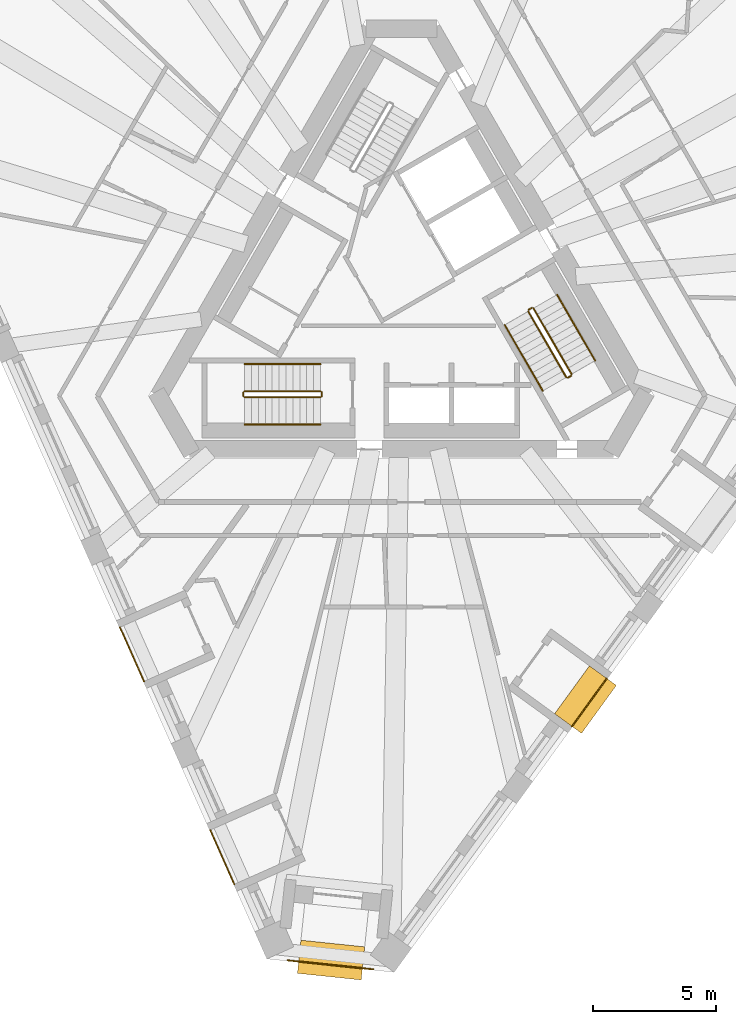
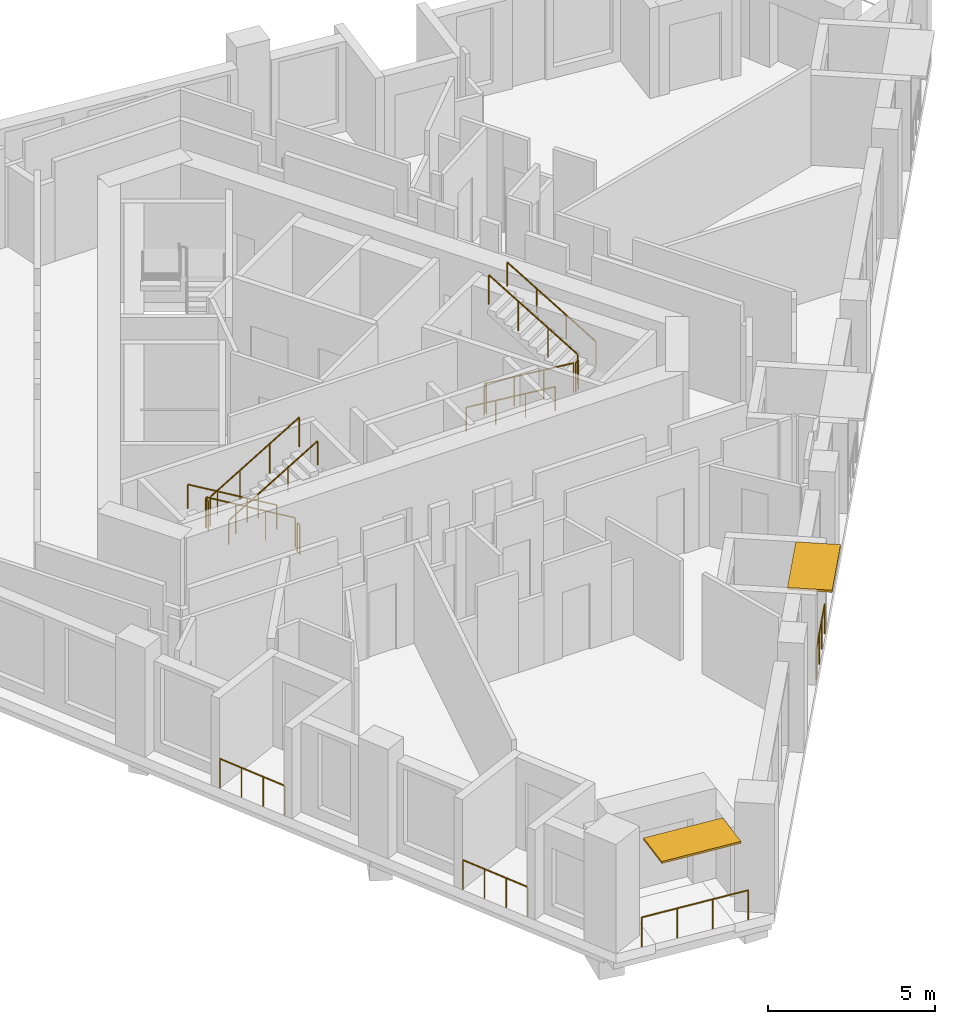
# One storey, part 9 of 11: 16 railings, 2 shading devices.
"""IFC4 building model written with IfcOpenShell, lengths in metres."""

from ifc_helpers import new_model, si_unit, direction, frame, origin, origin_2d, place, context, subcontext, project, spatial, rectangle, circle, extrude, material, layer, layer_set, type_object, element, save


model = new_model("IFC4")

# Units and contexts
model_context = context("Model", 3, precision=1e-05, world=origin(), true_north=direction((0.0, 1.0)))
body_context = subcontext(model_context, "Body", "Model", "MODEL_VIEW")
ifc_project = project(units=[si_unit("LENGTHUNIT", "METRE"), si_unit("AREAUNIT", "SQUARE_METRE"), si_unit("VOLUMEUNIT", "CUBIC_METRE"), si_unit("PLANEANGLEUNIT", "RADIAN"), si_unit("MASSUNIT", "GRAM", prefix="KILO")], contexts=[model_context])

# Site, building, storey
site_placement = place(None, origin())
site = spatial("IfcSite", under=ifc_project, at=site_placement, CompositionType="ELEMENT")
building_placement = place(site_placement, origin())
building = spatial("IfcBuilding", under=site, at=building_placement, Name="Tramontana Tower", CompositionType="ELEMENT")
storey_placement = place(building_placement, frame((0.0, 0.0, 249.199951171875)))
storey = spatial("IfcBuildingStorey", under=building, at=storey_placement, Name="L58", CompositionType="ELEMENT", Elevation=249.199951171875)

# Railings
ifc_material_1 = material(Name="Laminated glass balustrade", Category="glass")
railing_type_1 = type_object("IfcRailingType", Name="GD1 Loggia glass balustrade 1100", PredefinedType="BALUSTRADE", material=ifc_material_1)
for number, where, name in (
    (1, (-11.41455078125, -13.626220703125, 0.0), "Loggia balustrade L58 G6S0.10"),
    (2, (-7.751220703125, -21.854248046875, 0.0), "Loggia balustrade L58 G6S0.13"),
):
    element("IfcRailing", number, at=place(storey_placement, frame(where)), inside=storey, type_object=railing_type_1, Name=name, PredefinedType="BALUSTRADE", context=body_context, shape_type="SweptSolid", body=[
        extrude(circle(Radius=0.02392578125, at=origin_2d()), frame((0.0, 0.0, 1.076171875), z_axis=(0.406723017018, -0.913551524232, 0.0), x_axis=(0.913551524232, 0.406723017018, 0.0)), (0.0, 0.0, 1.0), 2.40234375),
        extrude(circle(Radius=0.02099609375, at=origin_2d()), origin(), (0.0, 0.0, 1.0), 1.052001953125),
        extrude(circle(Radius=0.02099609375, at=origin_2d()), frame((0.32568359375, -0.7314453125, 0.0)), (0.0, 0.0, 1.0), 1.052001953125),
        extrude(circle(Radius=0.02099609375, at=origin_2d()), frame((0.6513671875, -1.463134765625, 0.0)), (0.0, 0.0, 1.0), 1.052001953125),
        extrude(circle(Radius=0.02099609375, at=origin_2d()), frame((0.97705078125, -2.194580078125, 0.0)), (0.0, 0.0, 1.0), 1.052001953125),
    ])
railing_1_placement = place(storey_placement, frame((6.919921875, -17.645263671875, 0.0)))
element("IfcRailing", 3, at=railing_1_placement, inside=storey, type_object=railing_type_1, Name="Loggia balustrade L58 G6S1.4", PredefinedType="BALUSTRADE", context=body_context, shape_type="SweptSolid", body=[
    extrude(circle(Radius=0.02392578125, at=origin_2d()), frame((0.0, 0.0, 1.076171875), z_axis=(0.587784915375, 0.80901723916, 0.0), x_axis=(-0.80901723916, 0.587784915375, 0.0)), (0.0, 0.0, 1.0), 2.40234375),
    extrude(circle(Radius=0.02099609375, at=origin_2d()), origin(), (0.0, 0.0, 1.0), 1.052001953125),
    extrude(circle(Radius=0.02099609375, at=origin_2d()), frame((0.470703125, 0.64794921875, 0.0)), (0.0, 0.0, 1.0), 1.052001953125),
    extrude(circle(Radius=0.02099609375, at=origin_2d()), frame((0.94140625, 1.295654296875, 0.0)), (0.0, 0.0, 1.0), 1.052001953125),
    extrude(circle(Radius=0.02099609375, at=origin_2d()), frame((1.412109375, 1.943603515625, 0.0)), (0.0, 0.0, 1.0), 1.052001953125),
])
railing_2_placement = place(storey_placement, frame((-1.131103515625, -27.50244140625, 0.0)))
element("IfcRailing", 4, at=railing_2_placement, inside=storey, type_object=railing_type_1, Name="Corner loggia balustrade L58 K61", PredefinedType="BALUSTRADE", context=body_context, shape_type="SweptSolid", body=[
    extrude(circle(Radius=0.02392578125, at=origin_2d()), frame((0.0, 0.0, 1.076171875), z_axis=(-0.994518059202, 0.104564955513, 0.0), x_axis=(-0.104564955513, -0.994518059202, 0.0)), (0.0, 0.0, 1.0), 3.5),
    extrude(circle(Radius=0.02099609375, at=origin_2d()), origin(), (0.0, 0.0, 1.0), 1.052001953125),
    extrude(circle(Radius=0.02099609375, at=origin_2d()), frame((-1.16015625, 0.1220703125, 0.0)), (0.0, 0.0, 1.0), 1.052001953125),
    extrude(circle(Radius=0.02099609375, at=origin_2d()), frame((-2.320556640625, 0.243896484375, 0.0)), (0.0, 0.0, 1.0), 1.052001953125),
    extrude(circle(Radius=0.02099609375, at=origin_2d()), frame((-3.480712890625, 0.365966796875, 0.0)), (0.0, 0.0, 1.0), 1.052001953125),
])

# Shading devices
ifc_material_2 = material(Name="Precast concrete 60 MPa", Category="concrete")
ifc_layer_1 = layer(ifc_material_2, 0.070068359375)
ifc_layer_set_1 = layer_set([ifc_layer_1], Name="SS2 Stone sunshade blade 70")
shading_device_type_1 = type_object("IfcShadingDeviceType", Name="SS2 Stone sunshade blade 70", PredefinedType="USERDEFINED", material=ifc_layer_set_1)
shading_device_1_placement = place(storey_placement, frame((-2.85107421875, -27.12548828125, 3.22998046875), z_axis=(0.0, 0.0, 1.0), x_axis=(-0.994521895368, 0.104528463268, 0.0)))
element("IfcShadingDevice", 5, at=shading_device_1_placement, inside=storey, type_object=shading_device_type_1, Name="Corner sunshade L58 K61", ObjectType="SUNSHADE", PredefinedType="USERDEFINED", context=body_context, shape_type="SweptSolid", body=[
    extrude(rectangle(XDim=2.60009765625, YDim=1.35009765625, at=origin_2d()), origin(), (0.0, 0.0, 1.0), 0.070068359375),
])
ifc_material_3 = material(Name="Precast concrete 60 MPa", Category="concrete")
ifc_layer_2 = layer(ifc_material_3, 0.080078125)
ifc_layer_set_2 = layer_set([ifc_layer_2], Name="SS3 Stone sunshade blade 80")
shading_device_type_2 = type_object("IfcShadingDeviceType", Name="SS3 Stone sunshade blade 80", PredefinedType="USERDEFINED", material=ifc_layer_set_2)
shading_device_2_placement = place(storey_placement, frame((7.46826171875, -16.558837890625, 3.219970703125), z_axis=(0.0, 0.0, 1.0), x_axis=(0.587785252292, 0.809016994375, 0.0)))
element("IfcShadingDevice", 6, at=shading_device_2_placement, inside=storey, type_object=shading_device_type_2, Name="Sunshade L58 G6S1.4", ObjectType="SUNSHADE", PredefinedType="USERDEFINED", context=body_context, shape_type="SweptSolid", body=[
    extrude(rectangle(XDim=2.402099609375, YDim=1.35009765625, at=origin_2d()), origin(), (0.0, 0.0, 1.0), 0.080078125),
])

# Railings
ifc_material_4 = material(Name="Painted steel", Category="steel")
railing_type_2 = type_object("IfcRailingType", Name="STAIR GUARD 1100", PredefinedType="GUARDRAIL", material=ifc_material_4)
railing_3_placement = place(storey_placement, frame((-3.280029296875, -4.050048828125, 0.166748046875)))
element("IfcRailing", 7, at=railing_3_placement, inside=storey, type_object=railing_type_2, Name="L58 ST2 stair guard 1", PredefinedType="GUARDRAIL", context=body_context, shape_type="SweptSolid", body=[
    extrude(circle(Radius=0.02392578125, at=origin_2d()), frame((0.0, 0.0, 1.076171875), z_axis=(-0.859308565015, 0.0, 0.511457515432), x_axis=(0.0, -1.0, 0.0)), (0.0, 0.0, 1.0), 3.58447265625),
    extrude(circle(Radius=0.02099609375, at=origin_2d()), origin(), (0.0, 0.0, 1.0), 1.052001953125),
    extrude(circle(Radius=0.02099609375, at=origin_2d()), frame((-1.026611328125, 0.0, 0.611083984375)), (0.0, 0.0, 1.0), 1.052001953125),
    extrude(circle(Radius=0.02099609375, at=origin_2d()), frame((-2.053466796875, 0.0, 1.22216796875)), (0.0, 0.0, 1.0), 1.052001953125),
    extrude(circle(Radius=0.02099609375, at=origin_2d()), frame((-3.080078125, 0.0, 1.833251953125)), (0.0, 0.0, 1.0), 1.052001953125),
])
railing_4_placement = place(storey_placement, frame((-6.360107421875, -4.300048828125, 2.166748046875)))
element("IfcRailing", 8, at=railing_4_placement, inside=storey, type_object=railing_type_2, Name="L58 ST2 stair guard 2", PredefinedType="GUARDRAIL", context=body_context, shape_type="SweptSolid", body=[
    extrude(circle(Radius=0.02392578125, at=origin_2d()), frame((0.0, 0.0, 1.076171875), z_axis=(0.859308565015, 0.0, 0.511457515432), x_axis=(0.0, 1.0, 0.0)), (0.0, 0.0, 1.0), 3.58447265625),
    extrude(circle(Radius=0.02099609375, at=origin_2d()), origin(), (0.0, 0.0, 1.0), 1.052001953125),
    extrude(circle(Radius=0.02099609375, at=origin_2d()), frame((1.026611328125, 0.0, 0.611083984375)), (0.0, 0.0, 1.0), 1.052001953125),
    extrude(circle(Radius=0.02099609375, at=origin_2d()), frame((2.053466796875, 0.0, 1.22216796875)), (0.0, 0.0, 1.0), 1.052001953125),
    extrude(circle(Radius=0.02099609375, at=origin_2d()), frame((3.080078125, 0.0, 1.833251953125)), (0.0, 0.0, 1.0), 1.052001953125),
])
for number, where, name in (
    (9, (-6.409912109375, -4.10009765625, 2.0), "L58 ST2 stair guard 3"),
    (10, (-3.22998046875, -4.10009765625, 0.0), "L58 ST2 stair guard 4"),
):
    element("IfcRailing", number, at=place(storey_placement, frame(where)), inside=storey, type_object=railing_type_2, Name=name, PredefinedType="GUARDRAIL", context=body_context, shape_type="SweptSolid", body=[
        extrude(circle(Radius=0.02392578125, at=origin_2d()), frame((0.0, 0.0, 1.076171875), z_axis=(0.0, -1.0, 0.0), x_axis=(1.0, 0.0, 0.0)), (0.0, 0.0, 1.0), 0.14990234375),
        extrude(circle(Radius=0.02099609375, at=origin_2d()), origin(), (0.0, 0.0, 1.0), 1.052001953125),
        extrude(circle(Radius=0.02099609375, at=origin_2d()), frame((0.0, -0.14990234375, 0.0)), (0.0, 0.0, 1.0), 1.052001953125),
    ])
railing_5_placement = place(storey_placement, frame((5.1474609375, -0.815673828125, 0.166748046875)))
element("IfcRailing", 11, at=railing_5_placement, inside=storey, type_object=railing_type_2, Name="L58 ST3 stair guard 1", PredefinedType="GUARDRAIL", context=body_context, shape_type="SweptSolid", body=[
    extrude(circle(Radius=0.02392578125, at=origin_2d()), frame((0.0, 0.0, 1.076171875), z_axis=(0.429671193721, -0.744159446956, 0.511477646425), x_axis=(0.866010015463, 0.500026652407, 0.0)), (0.0, 0.0, 1.0), 3.584228515625),
    extrude(circle(Radius=0.02099609375, at=origin_2d()), origin(), (0.0, 0.0, 1.0), 1.052001953125),
    extrude(circle(Radius=0.02099609375, at=origin_2d()), frame((0.513427734375, -0.88916015625, 0.611083984375)), (0.0, 0.0, 1.0), 1.052001953125),
    extrude(circle(Radius=0.02099609375, at=origin_2d()), frame((1.026611328125, -1.778076171875, 1.22216796875)), (0.0, 0.0, 1.0), 1.052001953125),
    extrude(circle(Radius=0.02099609375, at=origin_2d()), frame((1.5400390625, -2.667236328125, 1.833251953125)), (0.0, 0.0, 1.0), 1.052001953125),
])
railing_6_placement = place(storey_placement, frame((6.90380859375, -3.35791015625, 2.166748046875)))
element("IfcRailing", 12, at=railing_6_placement, inside=storey, type_object=railing_type_2, Name="L58 ST3 stair guard 2", PredefinedType="GUARDRAIL", context=body_context, shape_type="SweptSolid", body=[
    extrude(circle(Radius=0.02392578125, at=origin_2d()), frame((0.0, 0.0, 1.076171875), z_axis=(-0.429615651263, 0.74418122563, 0.511492615401), x_axis=(-0.866044340336, -0.499967199496, 0.0)), (0.0, 0.0, 1.0), 3.584228515625),
    extrude(circle(Radius=0.02099609375, at=origin_2d()), origin(), (0.0, 0.0, 1.0), 1.052001953125),
    extrude(circle(Radius=0.02099609375, at=origin_2d()), frame((-0.51318359375, 0.88916015625, 0.611083984375)), (0.0, 0.0, 1.0), 1.052001953125),
    extrude(circle(Radius=0.02099609375, at=origin_2d()), frame((-1.026611328125, 1.778076171875, 1.22216796875)), (0.0, 0.0, 1.0), 1.052001953125),
    extrude(circle(Radius=0.02099609375, at=origin_2d()), frame((-1.539794921875, 2.667236328125, 1.833251953125)), (0.0, 0.0, 1.0), 1.052001953125),
])
for number, where, name in (
    (13, (6.755615234375, -3.501220703125, 2.0), "L58 ST3 stair guard 3"),
    (14, (5.165771484375, -0.747314453125, 0.0), "L58 ST3 stair guard 4"),
):
    element("IfcRailing", number, at=place(storey_placement, frame(where)), inside=storey, type_object=railing_type_2, Name=name, PredefinedType="GUARDRAIL", context=body_context, shape_type="SweptSolid", body=[
        extrude(circle(Radius=0.02392578125, at=origin_2d()), frame((0.0, 0.0, 1.076171875), z_axis=(0.866131372301, 0.499816412211, 0.0), x_axis=(-0.499816412211, 0.866131372301, 0.0)), (0.0, 0.0, 1.0), 0.14990234375),
        extrude(circle(Radius=0.02099609375, at=origin_2d()), origin(), (0.0, 0.0, 1.0), 1.052001953125),
        extrude(circle(Radius=0.02099609375, at=origin_2d()), frame((0.1298828125, 0.074951171875, 0.0)), (0.0, 0.0, 1.0), 1.052001953125),
    ])
ifc_material_5 = material(Name="Painted steel", Category="steel")
railing_type_3 = type_object("IfcRailingType", Name="STAIR HANDRAIL 900", PredefinedType="HANDRAIL", material=ifc_material_5)
railing_7_placement = place(storey_placement, frame((-3.280029296875, -2.949951171875, 0.166748046875)))
element("IfcRailing", 15, at=railing_7_placement, inside=storey, type_object=railing_type_3, Name="L58 ST2 stair handrail 1", PredefinedType="HANDRAIL", context=body_context, shape_type="SweptSolid", body=[
    extrude(circle(Radius=0.02392578125, at=origin_2d()), frame((0.0, 0.0, 0.8759765625), z_axis=(-0.859308565015, 0.0, 0.511457515432), x_axis=(0.0, -1.0, 0.0)), (0.0, 0.0, 1.0), 3.58447265625),
    extrude(circle(Radius=0.02099609375, at=origin_2d()), origin(), (0.0, 0.0, 1.0), 0.851806640625),
    extrude(circle(Radius=0.02099609375, at=origin_2d()), frame((-1.026611328125, 0.0, 0.611083984375)), (0.0, 0.0, 1.0), 0.851806640625),
    extrude(circle(Radius=0.02099609375, at=origin_2d()), frame((-2.053466796875, 0.0, 1.22216796875)), (0.0, 0.0, 1.0), 0.851806640625),
    extrude(circle(Radius=0.02099609375, at=origin_2d()), frame((-3.080078125, 0.0, 1.833251953125)), (0.0, 0.0, 1.0), 0.851806640625),
])
railing_8_placement = place(storey_placement, frame((-6.360107421875, -5.39990234375, 2.166748046875)))
element("IfcRailing", 16, at=railing_8_placement, inside=storey, type_object=railing_type_3, Name="L58 ST2 stair handrail 2", PredefinedType="HANDRAIL", context=body_context, shape_type="SweptSolid", body=[
    extrude(circle(Radius=0.02392578125, at=origin_2d()), frame((0.0, 0.0, 0.8759765625), z_axis=(0.859308565015, 0.0, 0.511457515432), x_axis=(0.0, 1.0, 0.0)), (0.0, 0.0, 1.0), 3.58447265625),
    extrude(circle(Radius=0.02099609375, at=origin_2d()), origin(), (0.0, 0.0, 1.0), 0.851806640625),
    extrude(circle(Radius=0.02099609375, at=origin_2d()), frame((1.026611328125, 0.0, 0.611083984375)), (0.0, 0.0, 1.0), 0.851806640625),
    extrude(circle(Radius=0.02099609375, at=origin_2d()), frame((2.053466796875, 0.0, 1.22216796875)), (0.0, 0.0, 1.0), 0.851806640625),
    extrude(circle(Radius=0.02099609375, at=origin_2d()), frame((3.080078125, 0.0, 1.833251953125)), (0.0, 0.0, 1.0), 0.851806640625),
])
railing_9_placement = place(storey_placement, frame((4.19482421875, -1.365478515625, 0.166748046875)))
element("IfcRailing", 17, at=railing_9_placement, inside=storey, type_object=railing_type_3, Name="L58 ST3 stair handrail 1", PredefinedType="HANDRAIL", context=body_context, shape_type="SweptSolid", body=[
    extrude(circle(Radius=0.02392578125, at=origin_2d()), frame((0.0, 0.0, 0.8759765625), z_axis=(0.429649414936, -0.744189839504, 0.511451721109), x_axis=(0.866029832698, 0.499992328818, 0.0)), (0.0, 0.0, 1.0), 3.58447265625),
    extrude(circle(Radius=0.02099609375, at=origin_2d()), origin(), (0.0, 0.0, 1.0), 0.851806640625),
    extrude(circle(Radius=0.02099609375, at=origin_2d()), frame((0.513427734375, -0.88916015625, 0.611083984375)), (0.0, 0.0, 1.0), 0.851806640625),
    extrude(circle(Radius=0.02099609375, at=origin_2d()), frame((1.026611328125, -1.7783203125, 1.22216796875)), (0.0, 0.0, 1.0), 0.851806640625),
    extrude(circle(Radius=0.02099609375, at=origin_2d()), frame((1.5400390625, -2.66748046875, 1.833251953125)), (0.0, 0.0, 1.0), 0.851806640625),
])
railing_10_placement = place(storey_placement, frame((7.8564453125, -2.807861328125, 2.166748046875)))
element("IfcRailing", 18, at=railing_10_placement, inside=storey, type_object=railing_type_3, Name="L58 ST3 stair handrail 2", PredefinedType="HANDRAIL", context=body_context, shape_type="SweptSolid", body=[
    extrude(circle(Radius=0.02392578125, at=origin_2d()), frame((0.0, 0.0, 0.8759765625), z_axis=(-0.429615651263, 0.74418122563, 0.511492615401), x_axis=(-0.866044340336, -0.499967199496, 0.0)), (0.0, 0.0, 1.0), 3.584228515625),
    extrude(circle(Radius=0.02099609375, at=origin_2d()), origin(), (0.0, 0.0, 1.0), 0.851806640625),
    extrude(circle(Radius=0.02099609375, at=origin_2d()), frame((-0.51318359375, 0.88916015625, 0.611083984375)), (0.0, 0.0, 1.0), 0.851806640625),
    extrude(circle(Radius=0.02099609375, at=origin_2d()), frame((-1.026611328125, 1.778076171875, 1.22216796875)), (0.0, 0.0, 1.0), 0.851806640625),
    extrude(circle(Radius=0.02099609375, at=origin_2d()), frame((-1.539794921875, 2.667236328125, 1.833251953125)), (0.0, 0.0, 1.0), 0.851806640625),
])

save(model, "model.ifc")
